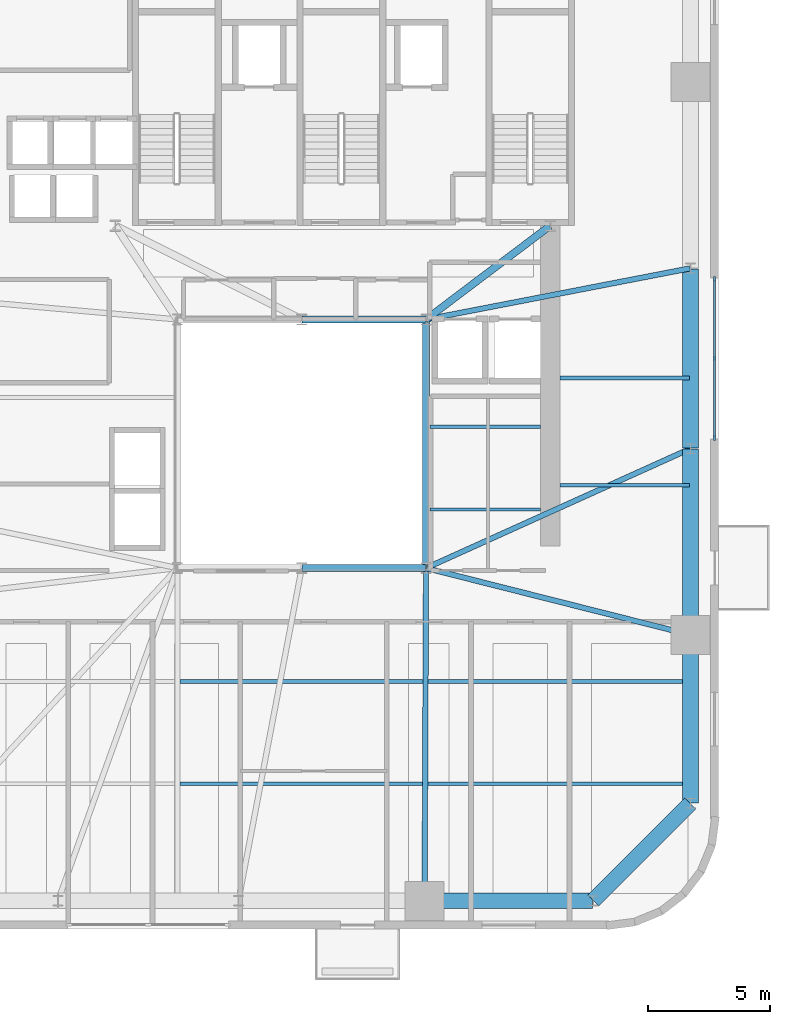
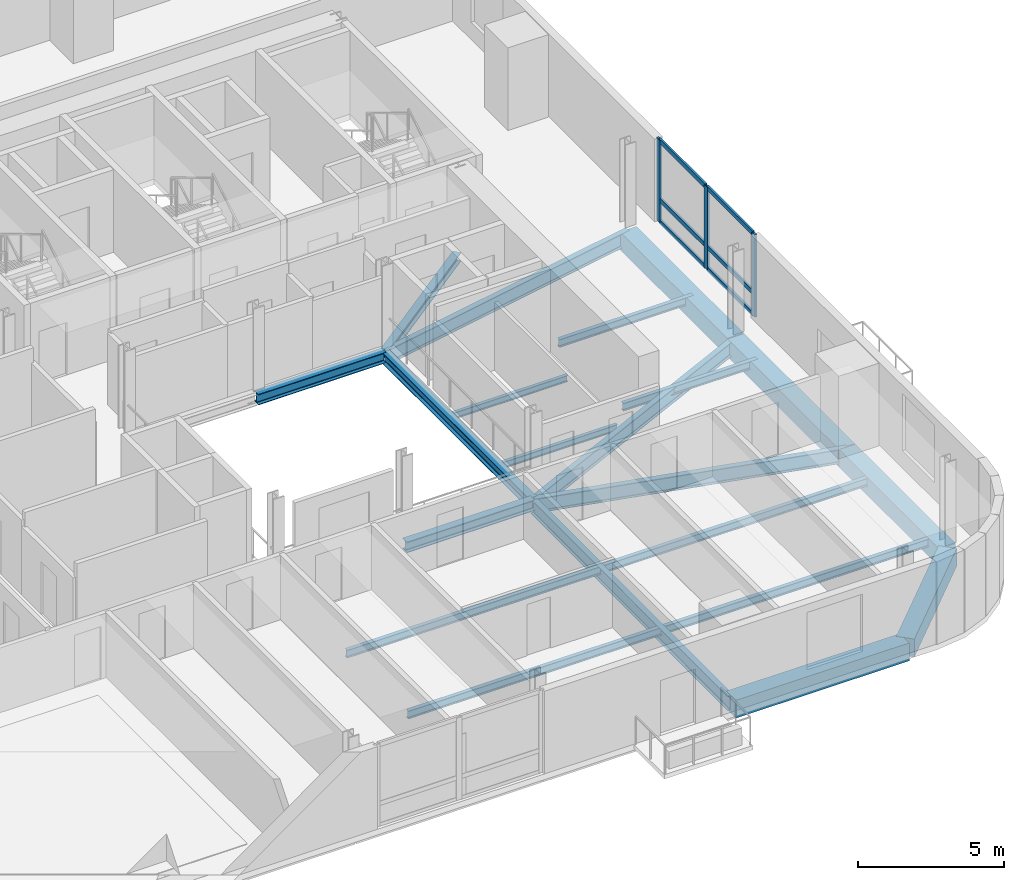
# One storey, part 3 of 11: 19 beams, 9 members, 1 element without a shape of its own.
"""IFC4 building model written with IfcOpenShell, lengths in metres."""

from ifc_helpers import new_model, si_unit, direction, frame, origin, origin_2d, place, context, subcontext, project, spatial, rectangle, i_section, extrude, source, transform, mapped, material, material_profile, profile_set, type_object, element, aggregate, save


model = new_model("IFC4")

# Units and contexts
model_context = context("Model", 3, precision=1e-05, world=origin(), true_north=direction((0.0, 1.0)))
body_context = subcontext(model_context, "Body", "Model", "MODEL_VIEW")
ifc_project = project(units=[si_unit("LENGTHUNIT", "METRE"), si_unit("AREAUNIT", "SQUARE_METRE"), si_unit("VOLUMEUNIT", "CUBIC_METRE"), si_unit("PLANEANGLEUNIT", "RADIAN"), si_unit("MASSUNIT", "GRAM", prefix="KILO")], contexts=[model_context])

# Site, building, storey
site_placement = place(None, origin())
site = spatial("IfcSite", under=ifc_project, at=site_placement, CompositionType="ELEMENT")
building_placement = place(site_placement, origin())
building = spatial("IfcBuilding", under=site, at=building_placement, Name="Vardaveli Station Tower", CompositionType="ELEMENT")
storey_placement = place(building_placement, frame((0.0, 0.0, 137.199951171875)))
storey = spatial("IfcBuildingStorey", under=building, at=storey_placement, Name="L35", CompositionType="ELEMENT", Elevation=137.199951171875)

# Beams
ifc_material_1 = material(Name="Structural steel S355J2", Category="steel")
ifc_material_profile_1 = material_profile(ifc_material_1, i_section(OverallWidth=0.300048828125, OverallDepth=0.449951171875, WebThickness=0.013916015625, FlangeThickness=0.02587890625, FilletRadius=0.027099609375, at=origin_2d()), Name="HEB 450")
ifc_profile_set_1 = profile_set([ifc_material_profile_1], Name="Structural steel S355J2")
beam_type_1 = type_object("IfcBeamType", Name="BM-HEB450", PredefinedType="BEAM", material=ifc_profile_set_1)
shared_shape_1 = source(origin(), body_context, "Body", "SweptSolid", [
    extrude(i_section(OverallWidth=0.300048828125, OverallDepth=0.449951171875, WebThickness=0.013916015625, FlangeThickness=0.02587890625, FilletRadius=0.027099609375, at=origin_2d()), origin(), (0.0, 0.0, 1.0), 5.059814453125),
])
for number, where, z_axis, x_axis, name in (
    (1, (36.320068359375, 16.60009765625, -0.46484375), (1.0, 0.0, 0.0), (0.0, 1.0, 0.0), "ABM-L35-02"),
    (2, (41.3798828125, 26.800048828125, -0.46484375), (-1.0, 0.0, 0.0), (0.0, -1.0, 0.0), "ABM-L35-04"),
):
    element("IfcBeam", number, at=place(storey_placement, frame(where, z_axis=z_axis, x_axis=x_axis)), inside=storey, type_object=beam_type_1, Name=name, PredefinedType="BEAM", context=body_context, shape_type="MappedRepresentation", body=[
        mapped(shared_shape_1, transform((0.0, 0.0, 0.0), scale=1.0)),
    ])
shared_shape_2 = source(origin(), body_context, "Body", "SweptSolid", [
    extrude(i_section(OverallWidth=0.300048828125, OverallDepth=0.449951171875, WebThickness=0.013916015625, FlangeThickness=0.02587890625, FilletRadius=0.027099609375, at=origin_2d()), origin(), (0.0, 0.0, 1.0), 10.159912109375),
])
beam_1_placement = place(storey_placement, frame((41.39990234375, 16.6201171875, -0.46484375), z_axis=(0.0, 1.0, 0.0), x_axis=(-1.0, 0.0, 0.0)))
element("IfcBeam", 3, at=beam_1_placement, inside=storey, type_object=beam_type_1, Name="ABM-L35-03", PredefinedType="BEAM", context=body_context, shape_type="MappedRepresentation", body=[
    mapped(shared_shape_2, transform((0.0, 0.0, 0.0), scale=1.0)),
])
ifc_material_profile_2 = material_profile(ifc_material_1, i_section(OverallWidth=0.300048828125, OverallDepth=0.360107421875, WebThickness=0.012451171875, FlangeThickness=0.0224609375, FilletRadius=0.027099609375, at=origin_2d()), Name="HEB 360")
ifc_profile_set_2 = profile_set([ifc_material_profile_2], Name="Structural steel S355J2")
beam_type_2 = type_object("IfcBeamType", Name="BM-HEB360", PredefinedType="BEAM", material=ifc_profile_set_2)
shared_shape_3 = source(origin(), body_context, "Body", "SweptSolid", [
    extrude(i_section(OverallWidth=0.300048828125, OverallDepth=0.360107421875, WebThickness=0.012451171875, FlangeThickness=0.0224609375, FilletRadius=0.027099609375, at=origin_2d()), origin(), (0.0, 0.0, 1.0), 6.35009765625),
])
beam_2_placement = place(storey_placement, frame((41.416015625, 26.81201171875, -0.419921875), z_axis=(0.798118337722, 0.602500721154, 0.0), x_axis=(-0.602500721154, 0.798118337722, 0.0)))
element("IfcBeam", 4, at=beam_2_placement, inside=storey, type_object=beam_type_2, Name="CBM-L35-02", PredefinedType="BEAM", context=body_context, shape_type="MappedRepresentation", body=[
    mapped(shared_shape_3, transform((0.0, 0.0, 0.0), scale=1.0)),
])
ifc_material_2 = material(Name="Precast concrete C45/55", Category="concrete")
ifc_material_profile_3 = material_profile(ifc_material_2, rectangle(XDim=0.64990234375, YDim=0.75, at=origin_2d()), Name="LPB 650x750")
ifc_profile_set_3 = profile_set([ifc_material_profile_3], Name="Precast concrete C45/55")
beam_type_3 = type_object("IfcBeamType", Name="BM-LPB-750", PredefinedType="BEAM", material=ifc_profile_set_3)
shared_shape_4 = source(origin(), body_context, "Body", "SweptSolid", [
    extrude(rectangle(XDim=0.64990234375, YDim=0.75, at=origin_2d()), origin(), (0.0, 0.0, 1.0), 7.60009765625),
])
beam_3_placement = place(storey_placement, frame((52.25, 13.8798828125, -0.614990234375), z_axis=(0.0, 1.0, 0.0), x_axis=(-1.0, 0.0, 0.0)))
element("IfcBeam", 5, at=beam_3_placement, inside=storey, type_object=beam_type_3, Name="RBM-L35-07", PredefinedType="BEAM", context=body_context, shape_type="MappedRepresentation", body=[
    mapped(shared_shape_4, transform((0.0, 0.0, 0.0), scale=1.0)),
])
shared_shape_5 = source(origin(), body_context, "Body", "SweptSolid", [
    extrude(rectangle(XDim=0.64990234375, YDim=0.75, at=origin_2d()), origin(), (0.0, 0.0, 1.0), 7.35986328125),
])
beam_4_placement = place(storey_placement, frame((52.25, 21.52001953125, -0.614990234375), z_axis=(0.0, 1.0, 0.0), x_axis=(-1.0, 0.0, 0.0)))
element("IfcBeam", 6, at=beam_4_placement, inside=storey, type_object=beam_type_3, Name="RBM-L35-08", PredefinedType="BEAM", context=body_context, shape_type="MappedRepresentation", body=[
    mapped(shared_shape_5, transform((0.0, 0.0, 0.0), scale=1.0)),
])
shared_shape_6 = source(origin(), body_context, "Body", "SweptSolid", [
    extrude(rectangle(XDim=0.64990234375, YDim=0.75, at=origin_2d()), origin(), (0.0, 0.0, 1.0), 6.869873046875),
])
beam_5_placement = place(storey_placement, frame((41.360107421875, 2.949951171875, -0.614990234375), z_axis=(1.0, 0.0, 0.0), x_axis=(0.0, 1.0, 0.0)))
element("IfcBeam", 7, at=beam_5_placement, inside=storey, type_object=beam_type_3, Name="RBM-L35-04", PredefinedType="BEAM", context=body_context, shape_type="MappedRepresentation", body=[
    mapped(shared_shape_6, transform((0.0, 0.0, 0.0), scale=1.0)),
])
shared_shape_7 = source(origin(), body_context, "Body", "SweptSolid", [
    extrude(rectangle(XDim=0.64990234375, YDim=0.75, at=origin_2d()), origin(), (0.0, 0.0, 1.0), 5.61669921875),
])
beam_6_placement = place(storey_placement, frame((48.26416015625, 2.964111328125, -0.614990234375), z_axis=(0.707106781187, 0.707106781187, 0.0), x_axis=(-0.707106781187, 0.707106781187, 0.0)))
element("IfcBeam", 8, at=beam_6_placement, inside=storey, type_object=beam_type_3, Name="RBM-L35-05", PredefinedType="BEAM", context=body_context, shape_type="MappedRepresentation", body=[
    mapped(shared_shape_7, transform((0.0, 0.0, 0.0), scale=1.0)),
])
shared_shape_8 = source(origin(), body_context, "Body", "SweptSolid", [
    extrude(rectangle(XDim=0.64990234375, YDim=0.75, at=origin_2d()), origin(), (0.0, 0.0, 1.0), 6.8701171875),
])
beam_7_placement = place(storey_placement, frame((52.25, 6.969970703125, -0.614990234375), z_axis=(0.0, 1.0, 0.0), x_axis=(-1.0, 0.0, 0.0)))
element("IfcBeam", 9, at=beam_7_placement, inside=storey, type_object=beam_type_3, Name="RBM-L35-06", PredefinedType="BEAM", context=body_context, shape_type="MappedRepresentation", body=[
    mapped(shared_shape_8, transform((0.0, 0.0, 0.0), scale=1.0)),
])
ifc_material_profile_4 = material_profile(ifc_material_1, i_section(OverallWidth=0.159912109375, OverallDepth=0.330078125, WebThickness=0.007568359375, FlangeThickness=0.011474609375, FilletRadius=0.01806640625, at=origin_2d()), Name="IPE 330")
ifc_profile_set_4 = profile_set([ifc_material_profile_4], Name="Structural steel S355J2")
beam_type_4 = type_object("IfcBeamType", Name="BM-IPE330", PredefinedType="JOIST", material=ifc_profile_set_4)
shared_shape_9 = source(origin(), body_context, "Body", "SweptSolid", [
    extrude(i_section(OverallWidth=0.159912109375, OverallDepth=0.330078125, WebThickness=0.007568359375, FlangeThickness=0.011474609375, FilletRadius=0.01806640625, at=origin_2d()), origin(), (0.0, 0.0, 1.0), 20.89794921875),
])
for number, where, z_axis, x_axis, name in (
    (10, (31.31201171875, 7.75, -0.405029296875), (1.0, 0.0, 0.0), (0.0, 1.0, 0.0), "SJ-L35-S02"),
    (11, (31.31201171875, 11.949951171875, -0.405029296875), (1.0, 0.0, 0.0), (0.0, 1.0, 0.0), "SJ-L35-S04"),
):
    element("IfcBeam", number, at=place(storey_placement, frame(where, z_axis=z_axis, x_axis=x_axis)), inside=storey, type_object=beam_type_4, Name=name, PredefinedType="JOIST", context=body_context, shape_type="MappedRepresentation", body=[
        mapped(shared_shape_9, transform((0.0, 0.0, 0.0), scale=1.0)),
    ])
shared_shape_10 = source(origin(), body_context, "Body", "SweptSolid", [
    extrude(i_section(OverallWidth=0.159912109375, OverallDepth=0.330078125, WebThickness=0.007568359375, FlangeThickness=0.011474609375, FilletRadius=0.01806640625, at=origin_2d()), origin(), (0.0, 0.0, 1.0), 5.304931640625),
])
for number, where, z_axis, x_axis, name in (
    (12, (46.905029296875, 20.0, -0.405029296875), (1.0, 0.0, 0.0), (0.0, 1.0, 0.0), "SJ-L35-E07"),
    (13, (46.905029296875, 24.39990234375, -0.405029296875), (1.0, 0.0, 0.0), (0.0, 1.0, 0.0), "SJ-L35-E08"),
):
    element("IfcBeam", number, at=place(storey_placement, frame(where, z_axis=z_axis, x_axis=x_axis)), inside=storey, type_object=beam_type_4, Name=name, PredefinedType="JOIST", context=body_context, shape_type="MappedRepresentation", body=[
        mapped(shared_shape_10, transform((0.0, 0.0, 0.0), scale=1.0)),
    ])
ifc_material_profile_5 = material_profile(ifc_material_1, i_section(OverallWidth=0.135009765625, OverallDepth=0.27001953125, WebThickness=0.006591796875, FlangeThickness=0.01025390625, FilletRadius=0.014892578125, at=origin_2d()), Name="IPE 270")
ifc_profile_set_5 = profile_set([ifc_material_profile_5], Name="Structural steel S355J2")
beam_type_5 = type_object("IfcBeamType", Name="BM-IPE270", PredefinedType="BEAM", material=ifc_profile_set_5)
shared_shape_11 = source(origin(), body_context, "Body", "SweptSolid", [
    extrude(i_section(OverallWidth=0.135009765625, OverallDepth=0.27001953125, WebThickness=0.006591796875, FlangeThickness=0.01025390625, FilletRadius=0.014892578125, at=origin_2d()), origin(), (0.0, 0.0, 1.0), 4.530029296875),
])
for number, where, z_axis, x_axis, name in (
    (14, (41.56494140625, 19.0, -0.375), (1.0, 0.0, 0.0), (0.0, 1.0, 0.0), "TJ-L35-01"),
    (15, (41.56494140625, 22.39990234375, -0.375), (1.0, 0.0, 0.0), (0.0, 1.0, 0.0), "TJ-L35-02"),
):
    element("IfcBeam", number, at=place(storey_placement, frame(where, z_axis=z_axis, x_axis=x_axis)), inside=storey, type_object=beam_type_5, Name=name, PredefinedType="BEAM", context=body_context, shape_type="MappedRepresentation", body=[
        mapped(shared_shape_11, transform((0.0, 0.0, 0.0), scale=1.0)),
    ])
ifc_material_profile_6 = material_profile(ifc_material_1, i_section(OverallWidth=0.219970703125, OverallDepth=0.60009765625, WebThickness=0.011962890625, FlangeThickness=0.01904296875, FilletRadius=0.02392578125, at=origin_2d()), Name="IPE 600")
ifc_profile_set_6 = profile_set([ifc_material_profile_6], Name="Structural steel S355J2")
beam_type_6 = type_object("IfcBeamType", Name="BM-IPE600", PredefinedType="BEAM", material=ifc_profile_set_6)
shared_shape_12 = source(origin(), body_context, "Body", "SweptSolid", [
    extrude(i_section(OverallWidth=0.219970703125, OverallDepth=0.60009765625, WebThickness=0.011962890625, FlangeThickness=0.01904296875, FilletRadius=0.02392578125, at=origin_2d()), origin(), (0.0, 0.0, 1.0), 13.6103515625),
])
beam_8_placement = place(storey_placement, frame((41.340087890625, 2.969970703125, -0.5400390625), z_axis=(0.004394812886, 0.999990342763, 0.0), x_axis=(-0.999990342763, 0.004394812886, 0.0)))
element("IfcBeam", 16, at=beam_8_placement, inside=storey, type_object=beam_type_6, Name="GBM-L35-04", PredefinedType="BEAM", context=body_context, shape_type="MappedRepresentation", body=[
    mapped(shared_shape_12, transform((0.0, 0.0, 0.0), scale=1.0)),
])
shared_shape_13 = source(origin(), body_context, "Body", "SweptSolid", [
    extrude(i_section(OverallWidth=0.219970703125, OverallDepth=0.60009765625, WebThickness=0.011962890625, FlangeThickness=0.01904296875, FilletRadius=0.02392578125, at=origin_2d()), origin(), (0.0, 0.0, 1.0), 11.150634765625),
])
beam_9_placement = place(storey_placement, frame((52.230712890625, 13.864990234375, -0.5400390625), z_axis=(-0.969561465826, 0.244848042642, 0.0), x_axis=(-0.244848042642, -0.969561465826, 0.0)))
element("IfcBeam", 17, at=beam_9_placement, inside=storey, type_object=beam_type_6, Name="GBM-L35-05", PredefinedType="BEAM", context=body_context, shape_type="MappedRepresentation", body=[
    mapped(shared_shape_13, transform((0.0, 0.0, 0.0), scale=1.0)),
])
shared_shape_14 = source(origin(), body_context, "Body", "SweptSolid", [
    extrude(i_section(OverallWidth=0.219970703125, OverallDepth=0.60009765625, WebThickness=0.011962890625, FlangeThickness=0.01904296875, FilletRadius=0.02392578125, at=origin_2d()), origin(), (0.0, 0.0, 1.0), 11.864990234375),
])
beam_10_placement = place(storey_placement, frame((52.231689453125, 21.49169921875, -0.5400390625), z_axis=(-0.911369354756, -0.411589478985, 0.0), x_axis=(0.411589478985, -0.911369354756, 0.0)))
element("IfcBeam", 18, at=beam_10_placement, inside=storey, type_object=beam_type_6, Name="GBM-L35-06", PredefinedType="BEAM", context=body_context, shape_type="MappedRepresentation", body=[
    mapped(shared_shape_14, transform((0.0, 0.0, 0.0), scale=1.0)),
])
shared_shape_15 = source(origin(), body_context, "Body", "SweptSolid", [
    extrude(i_section(OverallWidth=0.219970703125, OverallDepth=0.60009765625, WebThickness=0.011962890625, FlangeThickness=0.01904296875, FilletRadius=0.02392578125, at=origin_2d()), origin(), (0.0, 0.0, 1.0), 11.011474609375),
])
beam_11_placement = place(storey_placement, frame((52.23046875, 28.896240234375, -0.5400390625), z_axis=(-0.981777849093, -0.190032247343, 0.0), x_axis=(0.190032247343, -0.981777849093, 0.0)))
element("IfcBeam", 19, at=beam_11_placement, inside=storey, type_object=beam_type_6, Name="GBM-L35-07", PredefinedType="BEAM", context=body_context, shape_type="MappedRepresentation", body=[
    mapped(shared_shape_15, transform((0.0, 0.0, 0.0), scale=1.0)),
])

# Curtain wall, members
ifc_material_3 = material(Name="Travertine stone and solar-control glass", Category="masonry")
curtain_wall_type = type_object("IfcCurtainWallType", Name="CW-SYS-2", PredefinedType="NOTDEFINED", material=ifc_material_3)
curtain_wall_placement = place(storey_placement, origin())
curtain_wall = element("IfcCurtainWall", 20, at=curtain_wall_placement, inside=storey, type_object=curtain_wall_type, Name="CW-L35-E", PredefinedType="NOTDEFINED")
ifc_material_4 = material(Name="Anodised aluminium alloy 6063-T6", Category="aluminium")
ifc_material_profile_7 = material_profile(ifc_material_4, rectangle(XDim=0.0849609375, YDim=0.179931640625, at=origin_2d()), Name="CWT 85x180")
ifc_profile_set_7 = profile_set([ifc_material_profile_7], Name="Anodised aluminium alloy 6063-T6")
member_type_1 = type_object("IfcMemberType", Name="CW-SYS-2-TRAN", PredefinedType="NOTDEFINED", material=ifc_profile_set_7)
shared_shape_16 = source(origin(), body_context, "Body", "SweptSolid", [
    extrude(rectangle(XDim=0.0849609375, YDim=0.179931640625, at=origin_2d()), origin(), (0.0, 0.0, 1.0), 3.172607421875),
])
member_1_placement = place(storey_placement, frame((53.239990234375, 25.242431640625, 0.04248046875), z_axis=(0.0, 1.0, 0.0), x_axis=(-1.0, 0.0, 0.0)))
member_1 = element("IfcMember", 21, at=member_1_placement, type_object=member_type_1, Name="CW-2 transom 2.1", ObjectType="TRANSOM", PredefinedType="USERDEFINED", context=body_context, shape_type="MappedRepresentation", body=[
    mapped(shared_shape_16, transform((0.0, 0.0, 0.0), scale=1.0)),
])
member_2_placement = place(storey_placement, frame((53.239990234375, 25.242431640625, 0.949951171875), z_axis=(0.0, 1.0, 0.0), x_axis=(-1.0, 0.0, 0.0)))
member_2 = element("IfcMember", 22, at=member_2_placement, type_object=member_type_1, Name="CW-2 transom 2.2", ObjectType="TRANSOM", PredefinedType="USERDEFINED", context=body_context, shape_type="MappedRepresentation", body=[
    mapped(shared_shape_16, transform((0.0, 0.0, 0.0), scale=1.0)),
])
member_3_placement = place(storey_placement, frame((53.239990234375, 25.242431640625, 3.41748046875), z_axis=(0.0, 1.0, 0.0), x_axis=(-1.0, 0.0, 0.0)))
member_3 = element("IfcMember", 23, at=member_3_placement, type_object=member_type_1, Name="CW-2 transom 2.3", ObjectType="TRANSOM", PredefinedType="USERDEFINED", context=body_context, shape_type="MappedRepresentation", body=[
    mapped(shared_shape_16, transform((0.0, 0.0, 0.0), scale=1.0)),
])
shared_shape_17 = source(origin(), body_context, "Body", "SweptSolid", [
    extrude(rectangle(XDim=0.0849609375, YDim=0.179931640625, at=origin_2d()), origin(), (0.0, 0.0, 1.0), 3.17236328125),
])
member_4_placement = place(storey_placement, frame((53.239990234375, 21.985107421875, 0.04248046875), z_axis=(0.0, 1.0, 0.0), x_axis=(-1.0, 0.0, 0.0)))
member_4 = element("IfcMember", 24, at=member_4_placement, type_object=member_type_1, Name="CW-2 transom 1.1", ObjectType="TRANSOM", PredefinedType="USERDEFINED", context=body_context, shape_type="MappedRepresentation", body=[
    mapped(shared_shape_17, transform((0.0, 0.0, 0.0), scale=1.0)),
])
member_5_placement = place(storey_placement, frame((53.239990234375, 21.985107421875, 0.949951171875), z_axis=(0.0, 1.0, 0.0), x_axis=(-1.0, 0.0, 0.0)))
member_5 = element("IfcMember", 25, at=member_5_placement, type_object=member_type_1, Name="CW-2 transom 1.2", ObjectType="TRANSOM", PredefinedType="USERDEFINED", context=body_context, shape_type="MappedRepresentation", body=[
    mapped(shared_shape_17, transform((0.0, 0.0, 0.0), scale=1.0)),
])
member_6_placement = place(storey_placement, frame((53.239990234375, 21.985107421875, 3.41748046875), z_axis=(0.0, 1.0, 0.0), x_axis=(-1.0, 0.0, 0.0)))
member_6 = element("IfcMember", 26, at=member_6_placement, type_object=member_type_1, Name="CW-2 transom 1.3", ObjectType="TRANSOM", PredefinedType="USERDEFINED", context=body_context, shape_type="MappedRepresentation", body=[
    mapped(shared_shape_17, transform((0.0, 0.0, 0.0), scale=1.0)),
])
ifc_material_profile_8 = material_profile(ifc_material_4, rectangle(XDim=0.0849609375, YDim=0.219970703125, at=origin_2d()), Name="CWM 85x220")
ifc_profile_set_8 = profile_set([ifc_material_profile_8], Name="Anodised aluminium alloy 6063-T6")
member_type_2 = type_object("IfcMemberType", Name="CW-SYS-2-MULL", PredefinedType="MULLION", material=ifc_profile_set_8)
shared_shape_18 = source(origin(), body_context, "Body", "SweptSolid", [
    extrude(rectangle(XDim=0.0849609375, YDim=0.219970703125, at=origin_2d()), origin(), (0.0, 0.0, 1.0), 3.4599609375),
])
member_7_placement = place(storey_placement, frame((53.239990234375, 21.9423828125, 0.0), z_axis=(0.0, 0.0, 1.0), x_axis=(-1.0, 0.0, 0.0)))
member_7 = element("IfcMember", 27, at=member_7_placement, type_object=member_type_2, Name="CW-2 mullion 1", PredefinedType="MULLION", context=body_context, shape_type="MappedRepresentation", body=[
    mapped(shared_shape_18, transform((0.0, 0.0, 0.0), scale=1.0)),
])
member_8_placement = place(storey_placement, frame((53.239990234375, 25.199951171875, 0.0), z_axis=(0.0, 0.0, 1.0), x_axis=(-1.0, 0.0, 0.0)))
member_8 = element("IfcMember", 28, at=member_8_placement, type_object=member_type_2, Name="CW-2 mullion 2", PredefinedType="MULLION", context=body_context, shape_type="MappedRepresentation", body=[
    mapped(shared_shape_18, transform((0.0, 0.0, 0.0), scale=1.0)),
])
member_9_placement = place(storey_placement, frame((53.239990234375, 28.45751953125, 0.0), z_axis=(0.0, 0.0, 1.0), x_axis=(-1.0, 0.0, 0.0)))
member_9 = element("IfcMember", 29, at=member_9_placement, type_object=member_type_2, Name="CW-2 mullion 3", PredefinedType="MULLION", context=body_context, shape_type="MappedRepresentation", body=[
    mapped(shared_shape_18, transform((0.0, 0.0, 0.0), scale=1.0)),
])
aggregate(curtain_wall, [member_7, member_8, member_9, member_4, member_5, member_6, member_1, member_2, member_3])

save(model, "model.ifc")
